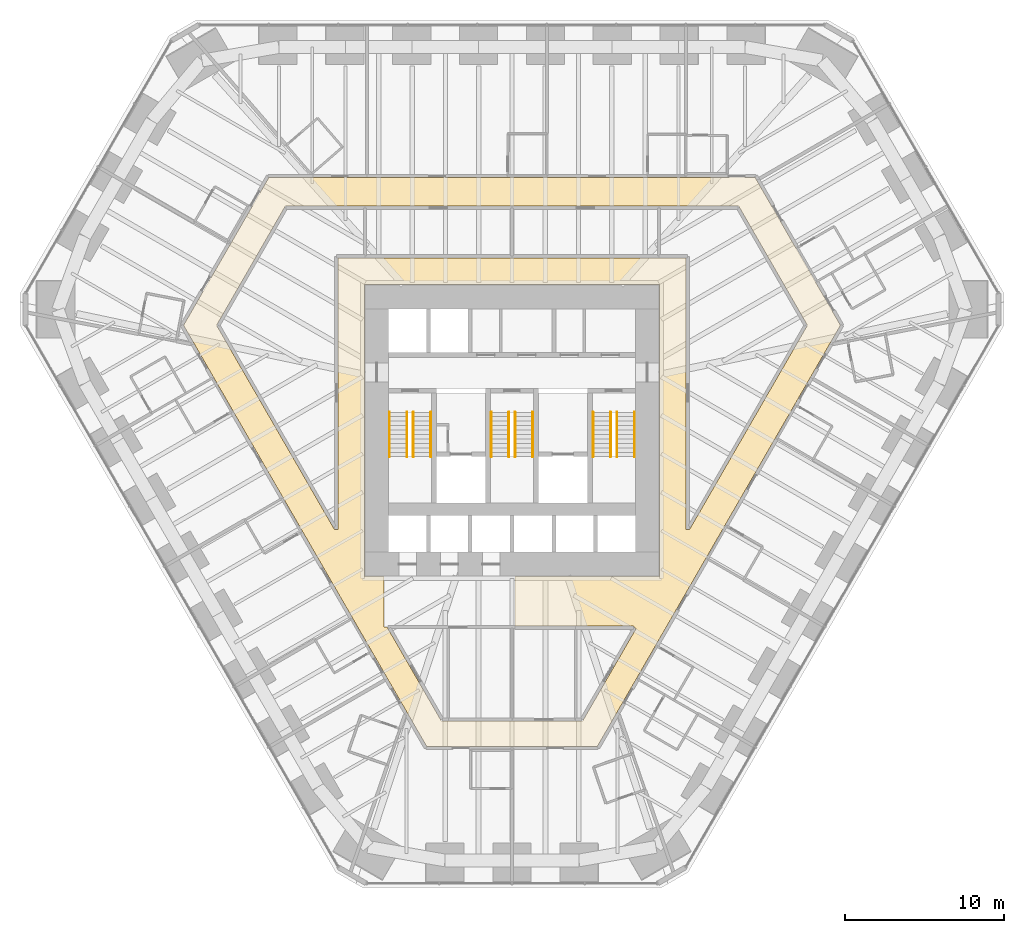
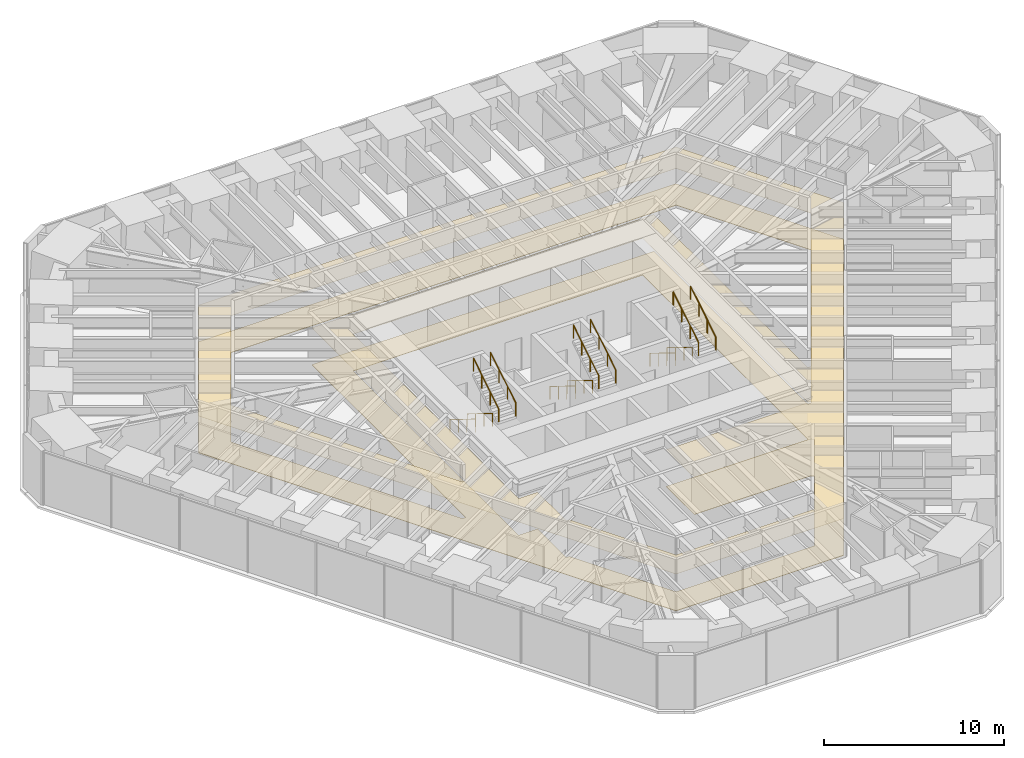
# One storey, part 17 of 17: 12 railings, 2 coverings.
"""IFC4 building model written with IfcOpenShell, lengths in metres."""

import ifcopenshell
import ifcopenshell.guid

model = None  # the IFC model being written
_history = None  # IfcOwnerHistory: only IFC2X3 demands one
_inside = {}  # id of a spatial element -> (the spatial element, [elements in it])
_under = {}  # id of a project, library or spatial element -> (it, [spatial elements below it])
_declared = {}  # id of a project -> (the project, [libraries it declares])
_typed = {}  # id of a type object -> (the type object, [elements of that type])
_made_of = {}  # id of a material, layer set ... -> (it, [elements and type objects made of it])


def new_model(schema):
    """Start an empty IFC model of exactly this schema.

    Asked for "IFC4X3", IfcOpenShell would pick the latest addendum, in which some entities
    have other attributes; the version numbers below select the first issue.
    IFC2X3 requires an IfcOwnerHistory on every rooted entity: one is made here for all.
    """
    global model, _history
    if schema == "IFC4X3":
        model = ifcopenshell.file(schema_version=(4, 3, 0, 0))
    else:
        model = ifcopenshell.file(schema=schema)
    _inside.clear()
    _under.clear()
    _declared.clear()
    _typed.clear()
    _made_of.clear()
    _history = None
    if model.schema == "IFC2X3":
        org = make("IfcOrganization", Name="unknown")
        user = make(
            "IfcPersonAndOrganization",
            ThePerson=make("IfcPerson", FamilyName="unknown"),
            TheOrganization=org,
        )
        app = make(
            "IfcApplication",
            ApplicationDeveloper=org,
            Version="unknown",
            ApplicationFullName="unknown",
            ApplicationIdentifier="unknown",
        )
        _history = make(
            "IfcOwnerHistory",
            OwningUser=user,
            OwningApplication=app,
            ChangeAction="ADDED",
            CreationDate=0,
        )
    return model


def make(cls, **values):
    """One entity of the class cls with the attributes given. An attribute that is None is left unset."""
    return model.create_entity(
        cls, **{name: value for name, value in values.items() if value is not None}
    )


def rooted(cls, **values):
    """An entity with a GlobalId (a new one), such as an element, a storey or a relation."""
    return make(cls, GlobalId=ifcopenshell.guid.new(), OwnerHistory=_history, **values)


def si_unit(unit_type, name, prefix=None):
    """IfcSIUnit, for example si_unit("LENGTHUNIT", "METRE", prefix="MILLI")."""
    return make("IfcSIUnit", UnitType=unit_type, Prefix=prefix, Name=name)


def assignment(units):
    """IfcUnitAssignment: the units of a project."""
    return None if units is None else make("IfcUnitAssignment", Units=units)


def point(xyz):
    """IfcCartesianPoint."""
    return None if xyz is None else make("IfcCartesianPoint", Coordinates=xyz)


def direction(xyz):
    """IfcDirection."""
    return None if xyz is None else make("IfcDirection", DirectionRatios=xyz)


def frame(location, z_axis=None, x_axis=None):
    """IfcAxis2Placement3D, a coordinate frame: its origin and axes. An axis left out is left unset."""
    return make(
        "IfcAxis2Placement3D",
        Location=point(location),
        Axis=direction(z_axis),
        RefDirection=direction(x_axis),
    )


def frame_2d(location, x_axis=None):
    """IfcAxis2Placement2D, a coordinate frame in the plane: its origin and x axis."""
    return make(
        "IfcAxis2Placement2D", Location=point(location), RefDirection=direction(x_axis)
    )


def origin():
    """The frame at (0, 0, 0) with its axes left unset."""
    return frame((0.0, 0.0, 0.0))


def origin_2d():
    """The frame at (0, 0) in the plane with its x axis left unset."""
    return frame_2d((0.0, 0.0))


def place(relative_to, where):
    """IfcLocalPlacement: puts the frame where relative to a parent placement (None: the world)."""
    return make(
        "IfcLocalPlacement", PlacementRelTo=relative_to, RelativePlacement=where
    )


def context(
    kind, dimensions, precision=None, world=None, true_north=None, identifier=None
):
    """IfcGeometricRepresentationContext, for example the 3D "Model" context."""
    return make(
        "IfcGeometricRepresentationContext",
        ContextIdentifier=identifier,
        ContextType=kind,
        CoordinateSpaceDimension=dimensions,
        Precision=precision,
        WorldCoordinateSystem=world,
        TrueNorth=true_north,
    )


def subcontext(parent, identifier, kind, view, scale=None):
    """IfcGeometricRepresentationSubContext, for example "Body" below "Model"."""
    return make(
        "IfcGeometricRepresentationSubContext",
        ContextIdentifier=identifier,
        ContextType=kind,
        ParentContext=parent,
        TargetScale=scale,
        TargetView=view,
    )


def project(units=None, contexts=None):
    """IfcProject with its units and contexts."""
    return rooted(
        "IfcProject",
        Name="project",
        RepresentationContexts=contexts,
        UnitsInContext=assignment(units),
    )


def spatial(cls, under=None, at=None, **own):
    """A site, building, storey or space (cls), placed at a placement, below another one or the project."""
    s = rooted(cls, ObjectPlacement=at, **own)
    if under is not None:
        _under.setdefault(under.id(), (under, []))[1].append(s)
    return s


def polyline(points):
    """IfcPolyline through the points."""
    return make("IfcPolyline", Points=[point(p) for p in points])


def profile(cls, at=None, kind="AREA", **sizes):
    """A parametric profile (cls). Its sizes go by their IFC names, for example OverallWidth=200.0."""
    return make(cls, ProfileType=kind, Position=at, **sizes)


def circle(**sizes):
    """IfcCircleProfileDef."""
    return profile("IfcCircleProfileDef", **sizes)


def outline(outer, holes=None, kind="AREA"):
    """IfcArbitraryClosedProfileDef: a profile drawn as a closed curve; with holes, ...WithVoids."""
    if holes is None:
        return make("IfcArbitraryClosedProfileDef", ProfileType=kind, OuterCurve=outer)
    return make(
        "IfcArbitraryProfileDefWithVoids",
        ProfileType=kind,
        OuterCurve=outer,
        InnerCurves=holes,
    )


def extrude(swept, where, along, depth):
    """IfcExtrudedAreaSolid: the profile swept, set in the frame where, extruded along a direction by depth."""
    return make(
        "IfcExtrudedAreaSolid",
        SweptArea=swept,
        Position=where,
        ExtrudedDirection=direction(along),
        Depth=depth,
    )


def shape(context_of_items, identifier, shape_type, items):
    """IfcShapeRepresentation: the items that make up one representation, for example the "Body"."""
    return make(
        "IfcShapeRepresentation",
        ContextOfItems=context_of_items,
        RepresentationIdentifier=identifier,
        RepresentationType=shape_type,
        Items=items,
    )


def material(Name=None, Category=None):
    """IfcMaterial."""
    return make("IfcMaterial", Name=Name, Category=Category)


def layer(
    of_material, thickness, ventilated=None, Name=None, Category=None, Priority=None
):
    """IfcMaterialLayer: one layer of a wall or slab, of a material (None: an air gap)."""
    return make(
        "IfcMaterialLayer",
        Material=of_material,
        LayerThickness=thickness,
        IsVentilated=ventilated,
        Name=Name,
        Category=Category,
        Priority=Priority,
    )


def layer_set(layers, Name=None):
    """IfcMaterialLayerSet."""
    return make("IfcMaterialLayerSet", MaterialLayers=layers, LayerSetName=Name)


def made_of(thing, what):
    """Note that an element or type object is made of a material, layer set ...; save() writes the relation."""
    if what is not None:
        _made_of.setdefault(what.id(), (what, []))[1].append(thing)
    return thing


def type_object(cls, material=None, **own):
    """A type object (cls), such as IfcWallType, which elements share."""
    return made_of(rooted(cls, **own), material)


def element(
    cls,
    number,
    at=None,
    inside=None,
    cuts=None,
    type_object=None,
    material=None,
    context=None,
    identifier="Body",
    shape_type=None,
    held_by="IfcProductDefinitionShape",
    body=None,
    shapes=None,
    **own,
):
    """One element of the class cls, such as IfcWall. Its Tag is "e" and its number.

    at: its placement. inside: the storey or other place that contains it. cuts: it is an
    opening in that element (IfcRelVoidsElement). A single representation is given by context,
    identifier, shape_type and body (its items); several are given by shapes. held_by: the class
    of the entity that holds the representations. save() writes the other relations.
    """
    e = rooted(cls, Tag="e%d" % number, ObjectPlacement=at, **own)
    if body is not None:
        shapes = [shape(context, identifier, shape_type, body)]
    if shapes is not None:
        e.Representation = make(held_by, Representations=shapes)
    if inside is not None:
        _inside.setdefault(inside.id(), (inside, []))[1].append(e)
    if cuts is not None:
        rooted(
            "IfcRelVoidsElement", RelatingBuildingElement=cuts, RelatedOpeningElement=e
        )
    if type_object is not None:
        _typed.setdefault(type_object.id(), (type_object, []))[1].append(e)
    return made_of(e, material)


def aggregate(whole, parts):
    """IfcRelAggregates: a whole, such as a stair, and the parts it consists of."""
    return rooted("IfcRelAggregates", RelatingObject=whole, RelatedObjects=parts)


def save(model, path):
    """Write the relations noted so far, then the file.

    IfcRelAggregates (storeys below a building ...), IfcRelContainedInSpatialStructure (elements
    in a storey), IfcRelDefinesByType, IfcRelAssociatesMaterial and IfcRelDeclares: one each for
    every whole, place, type object, material and project.
    """
    for whole, parts in _under.values():
        aggregate(whole, parts)
    for where, things in _inside.values():
        rooted(
            "IfcRelContainedInSpatialStructure",
            RelatedElements=things,
            RelatingStructure=where,
        )
    for kind, things in _typed.values():
        rooted("IfcRelDefinesByType", RelatedObjects=things, RelatingType=kind)
    for what, things in _made_of.values():
        rooted("IfcRelAssociatesMaterial", RelatedObjects=things, RelatingMaterial=what)
    for by, libraries in _declared.values():
        rooted("IfcRelDeclares", RelatingContext=by, RelatedDefinitions=libraries)
    model.write(path)


model = new_model("IFC4")

# Units and contexts
model_context = context("Model", 3, precision=1e-05, world=origin(), true_north=direction((0.0, 1.0)))
body_context = subcontext(model_context, "Body", "Model", "MODEL_VIEW")
ifc_project = project(units=[si_unit("LENGTHUNIT", "METRE"), si_unit("AREAUNIT", "SQUARE_METRE"), si_unit("VOLUMEUNIT", "CUBIC_METRE"), si_unit("PLANEANGLEUNIT", "RADIAN"), si_unit("MASSUNIT", "GRAM", prefix="KILO")], contexts=[model_context])

# Site, building, storey
site_placement = place(None, origin())
site = spatial("IfcSite", under=ifc_project, at=site_placement, CompositionType="ELEMENT")
building_placement = place(site_placement, origin())
building = spatial("IfcBuilding", under=site, at=building_placement, Name="Sandreach Pilgrim Tower", CompositionType="ELEMENT")
storey_placement = place(building_placement, frame((0.0, 0.0, 57.199951171875)))
storey = spatial("IfcBuildingStorey", under=building, at=storey_placement, Name="L13", CompositionType="ELEMENT", Elevation=57.199951171875)

# Covering
ifc_material_1 = material(Name="Gypsum board suspended ceiling on a steel grid", Category="steel")
ifc_layer_1 = layer(ifc_material_1, 0.012939453125)
ifc_layer_set_1 = layer_set([ifc_layer_1], Name="Gypsum board suspended ceiling")
covering_type_1 = type_object("IfcCoveringType", Name="Gypsum board suspended ceiling", PredefinedType="CEILING", material=ifc_layer_set_1)
covering_1_placement = place(storey_placement, frame((0.0, 0.0, 2.5)))
element("IfcCovering", 1, at=covering_1_placement, inside=storey, type_object=covering_type_1, Name="Ceiling 13C Corridor 13", PredefinedType="CEILING", context=body_context, shape_type="SweptSolid", body=[
    extrude(outline(polyline([(-5.3623046875, -21.409912109375), (-20.64453125, 5.059814453125), (-15.2822265625, 14.35009765625), (15.28173828125, 14.35009765625), (20.64453125, 5.06005859375), (5.3623046875, -21.409912109375), (-5.3623046875, -21.409912109375)]), holes=[polyline([(-11.16552734375, -7.760009765625), (-10.949951171875, -7.760009765625), (-10.949951171875, 9.300048828125), (10.949951171875, 9.300048828125), (10.949951171875, -7.760009765625), (11.16552734375, -7.760009765625), (18.5654296875, 5.06005859375), (14.247802734375, 12.550048828125), (-14.247802734375, 12.550048828125), (-18.5654296875, 5.06005859375), (-11.16552734375, -7.760009765625)]), polyline([(-8.050048828125, -10.719970703125), (-8.050048828125, -13.89990234375), (-7.8544921875, -13.89990234375), (-4.437744140625, -19.81005859375), (4.437744140625, -19.81005859375), (7.796630859375, -14.0), (7.635009765625, -13.85009765625), (0.179931640625, -13.85009765625), (0.175048828125, -10.719970703125), (9.27001953125, -10.719970703125), (9.27001953125, 7.6201171875), (-9.27001953125, 7.6201171875), (-9.27001953125, -10.719970703125), (-8.050048828125, -10.719970703125)])]), origin(), (0.0, 0.0, 1.0), 0.012939453125),
])

# Railings
ifc_material_2 = material(Name="Stainless steel tube", Category="steel")
railing_type = type_object("IfcRailingType", Name="Stair handrail", PredefinedType="HANDRAIL", material=ifc_material_2)
for number, where, name in (
    (2, (-6.60009765625, -0.39990234375, 0.1728515625), "Handrail ST1 L13 flight 1"),
    (3, (-7.699951171875, -0.39990234375, 0.1728515625), "Handrail ST1 L13 flight 1"),
):
    element("IfcRailing", number, at=place(storey_placement, frame(where)), inside=storey, type_object=railing_type, Name=name, PredefinedType="HANDRAIL", context=body_context, shape_type="SweptSolid", body=[
        extrude(circle(Radius=0.02392578125, at=origin_2d()), frame((0.0, 0.0, 0.8759765625), z_axis=(0.0, -0.851089632645, 0.525020415988), x_axis=(1.0, 0.0, 0.0)), (0.0, 0.0, 1.0), 3.2900390625),
        extrude(circle(Radius=0.02099609375, at=origin_2d()), origin(), (0.0, 0.0, 1.0), 0.851806640625),
        extrude(circle(Radius=0.02099609375, at=origin_2d()), frame((0.0, -0.933349609375, 0.57568359375)), (0.0, 0.0, 1.0), 0.851806640625),
        extrude(circle(Radius=0.02099609375, at=origin_2d()), frame((0.0, -1.86669921875, 1.151611328125)), (0.0, 0.0, 1.0), 0.851806640625),
        extrude(circle(Radius=0.02099609375, at=origin_2d()), frame((0.0, -2.800048828125, 1.727294921875)), (0.0, 0.0, 1.0), 0.851806640625),
    ])
for number, where, name in (
    (4, (-6.199951171875, -3.199951171875, 2.07275390625), "Handrail ST1 L13 flight 2"),
    (5, (-5.10009765625, -3.199951171875, 2.07275390625), "Handrail ST1 L13 flight 2"),
):
    element("IfcRailing", number, at=place(storey_placement, frame(where)), inside=storey, type_object=railing_type, Name=name, PredefinedType="HANDRAIL", context=body_context, shape_type="SweptSolid", body=[
        extrude(circle(Radius=0.02392578125, at=origin_2d()), frame((0.0, 0.0, 0.8759765625), z_axis=(0.0, 0.851089632645, 0.525020415988), x_axis=(-1.0, 0.0, 0.0)), (0.0, 0.0, 1.0), 3.2900390625),
        extrude(circle(Radius=0.02099609375, at=origin_2d()), origin(), (0.0, 0.0, 1.0), 0.851806640625),
        extrude(circle(Radius=0.02099609375, at=origin_2d()), frame((0.0, 0.933349609375, 0.57568359375)), (0.0, 0.0, 1.0), 0.851806640625),
        extrude(circle(Radius=0.02099609375, at=origin_2d()), frame((0.0, 1.86669921875, 1.151611328125)), (0.0, 0.0, 1.0), 0.851806640625),
        extrude(circle(Radius=0.02099609375, at=origin_2d()), frame((0.0, 2.800048828125, 1.727294921875)), (0.0, 0.0, 1.0), 0.851806640625),
    ])
for number, where, name in (
    (6, (-0.199951171875, -0.39990234375, 0.1728515625), "Handrail ST3 L13 flight 1"),
    (7, (-1.300048828125, -0.39990234375, 0.1728515625), "Handrail ST3 L13 flight 1"),
):
    element("IfcRailing", number, at=place(storey_placement, frame(where)), inside=storey, type_object=railing_type, Name=name, PredefinedType="HANDRAIL", context=body_context, shape_type="SweptSolid", body=[
        extrude(circle(Radius=0.02392578125, at=origin_2d()), frame((0.0, 0.0, 0.8759765625), z_axis=(0.0, -0.851089632645, 0.525020415988), x_axis=(1.0, 0.0, 0.0)), (0.0, 0.0, 1.0), 3.2900390625),
        extrude(circle(Radius=0.02099609375, at=origin_2d()), origin(), (0.0, 0.0, 1.0), 0.851806640625),
        extrude(circle(Radius=0.02099609375, at=origin_2d()), frame((0.0, -0.933349609375, 0.57568359375)), (0.0, 0.0, 1.0), 0.851806640625),
        extrude(circle(Radius=0.02099609375, at=origin_2d()), frame((0.0, -1.86669921875, 1.151611328125)), (0.0, 0.0, 1.0), 0.851806640625),
        extrude(circle(Radius=0.02099609375, at=origin_2d()), frame((0.0, -2.800048828125, 1.727294921875)), (0.0, 0.0, 1.0), 0.851806640625),
    ])
for number, where, name in (
    (8, (0.199951171875, -3.199951171875, 2.07275390625), "Handrail ST3 L13 flight 2"),
    (9, (1.300048828125, -3.199951171875, 2.07275390625), "Handrail ST3 L13 flight 2"),
):
    element("IfcRailing", number, at=place(storey_placement, frame(where)), inside=storey, type_object=railing_type, Name=name, PredefinedType="HANDRAIL", context=body_context, shape_type="SweptSolid", body=[
        extrude(circle(Radius=0.02392578125, at=origin_2d()), frame((0.0, 0.0, 0.8759765625), z_axis=(0.0, 0.851089632645, 0.525020415988), x_axis=(-1.0, 0.0, 0.0)), (0.0, 0.0, 1.0), 3.2900390625),
        extrude(circle(Radius=0.02099609375, at=origin_2d()), origin(), (0.0, 0.0, 1.0), 0.851806640625),
        extrude(circle(Radius=0.02099609375, at=origin_2d()), frame((0.0, 0.933349609375, 0.57568359375)), (0.0, 0.0, 1.0), 0.851806640625),
        extrude(circle(Radius=0.02099609375, at=origin_2d()), frame((0.0, 1.86669921875, 1.151611328125)), (0.0, 0.0, 1.0), 0.851806640625),
        extrude(circle(Radius=0.02099609375, at=origin_2d()), frame((0.0, 2.800048828125, 1.727294921875)), (0.0, 0.0, 1.0), 0.851806640625),
    ])
for number, where, name in (
    (10, (6.199951171875, -0.39990234375, 0.1728515625), "Handrail ST2 L13 flight 1"),
    (11, (5.10009765625, -0.39990234375, 0.1728515625), "Handrail ST2 L13 flight 1"),
):
    element("IfcRailing", number, at=place(storey_placement, frame(where)), inside=storey, type_object=railing_type, Name=name, PredefinedType="HANDRAIL", context=body_context, shape_type="SweptSolid", body=[
        extrude(circle(Radius=0.02392578125, at=origin_2d()), frame((0.0, 0.0, 0.8759765625), z_axis=(0.0, -0.851089632645, 0.525020415988), x_axis=(1.0, 0.0, 0.0)), (0.0, 0.0, 1.0), 3.2900390625),
        extrude(circle(Radius=0.02099609375, at=origin_2d()), origin(), (0.0, 0.0, 1.0), 0.851806640625),
        extrude(circle(Radius=0.02099609375, at=origin_2d()), frame((0.0, -0.933349609375, 0.57568359375)), (0.0, 0.0, 1.0), 0.851806640625),
        extrude(circle(Radius=0.02099609375, at=origin_2d()), frame((0.0, -1.86669921875, 1.151611328125)), (0.0, 0.0, 1.0), 0.851806640625),
        extrude(circle(Radius=0.02099609375, at=origin_2d()), frame((0.0, -2.800048828125, 1.727294921875)), (0.0, 0.0, 1.0), 0.851806640625),
    ])
for number, where, name in (
    (12, (6.60009765625, -3.199951171875, 2.07275390625), "Handrail ST2 L13 flight 2"),
    (13, (7.699951171875, -3.199951171875, 2.07275390625), "Handrail ST2 L13 flight 2"),
):
    element("IfcRailing", number, at=place(storey_placement, frame(where)), inside=storey, type_object=railing_type, Name=name, PredefinedType="HANDRAIL", context=body_context, shape_type="SweptSolid", body=[
        extrude(circle(Radius=0.02392578125, at=origin_2d()), frame((0.0, 0.0, 0.8759765625), z_axis=(0.0, 0.851089632645, 0.525020415988), x_axis=(-1.0, 0.0, 0.0)), (0.0, 0.0, 1.0), 3.2900390625),
        extrude(circle(Radius=0.02099609375, at=origin_2d()), origin(), (0.0, 0.0, 1.0), 0.851806640625),
        extrude(circle(Radius=0.02099609375, at=origin_2d()), frame((0.0, 0.933349609375, 0.57568359375)), (0.0, 0.0, 1.0), 0.851806640625),
        extrude(circle(Radius=0.02099609375, at=origin_2d()), frame((0.0, 1.86669921875, 1.151611328125)), (0.0, 0.0, 1.0), 0.851806640625),
        extrude(circle(Radius=0.02099609375, at=origin_2d()), frame((0.0, 2.800048828125, 1.727294921875)), (0.0, 0.0, 1.0), 0.851806640625),
    ])

# Covering
ifc_material_3 = material(Name="Cement terrazzo, ground and polished", Category="terrazzo")
ifc_layer_2 = layer(ifc_material_3, 0.02490234375)
ifc_layer_set_2 = layer_set([ifc_layer_2], Name="Terrazzo")
covering_type_2 = type_object("IfcCoveringType", Name="Terrazzo", PredefinedType="FLOORING", material=ifc_layer_set_2)
covering_2_placement = place(storey_placement, origin())
element("IfcCovering", 14, at=covering_2_placement, inside=storey, type_object=covering_type_2, Name="Floor finish 13C Corridor 13", PredefinedType="FLOORING", context=body_context, shape_type="SweptSolid", body=[
    extrude(outline(polyline([(-5.3623046875, -21.409912109375), (-20.64453125, 5.059814453125), (-15.2822265625, 14.35009765625), (15.28173828125, 14.35009765625), (20.64453125, 5.06005859375), (5.3623046875, -21.409912109375), (-5.3623046875, -21.409912109375)]), holes=[polyline([(-11.16552734375, -7.760009765625), (-10.949951171875, -7.760009765625), (-10.949951171875, 9.300048828125), (10.949951171875, 9.300048828125), (10.949951171875, -7.760009765625), (11.16552734375, -7.760009765625), (18.5654296875, 5.06005859375), (14.247802734375, 12.550048828125), (-14.247802734375, 12.550048828125), (-18.5654296875, 5.06005859375), (-11.16552734375, -7.760009765625)]), polyline([(-8.050048828125, -10.719970703125), (-8.050048828125, -13.89990234375), (-7.8544921875, -13.89990234375), (-4.437744140625, -19.81005859375), (4.437744140625, -19.81005859375), (7.796630859375, -14.0), (7.635009765625, -13.85009765625), (0.179931640625, -13.85009765625), (0.175048828125, -10.719970703125), (9.27001953125, -10.719970703125), (9.27001953125, 7.6201171875), (-9.27001953125, 7.6201171875), (-9.27001953125, -10.719970703125), (-8.050048828125, -10.719970703125)])]), origin(), (0.0, 0.0, 1.0), 0.025146484375),
])

save(model, "model.ifc")
